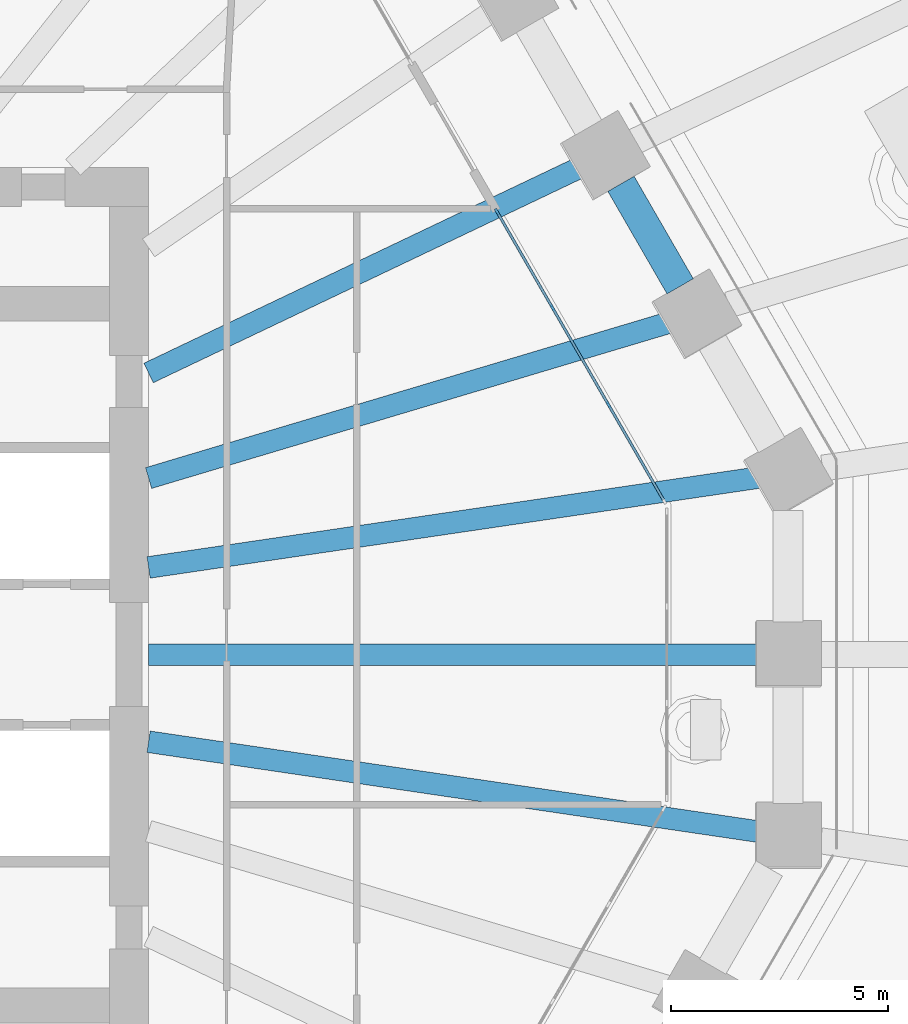
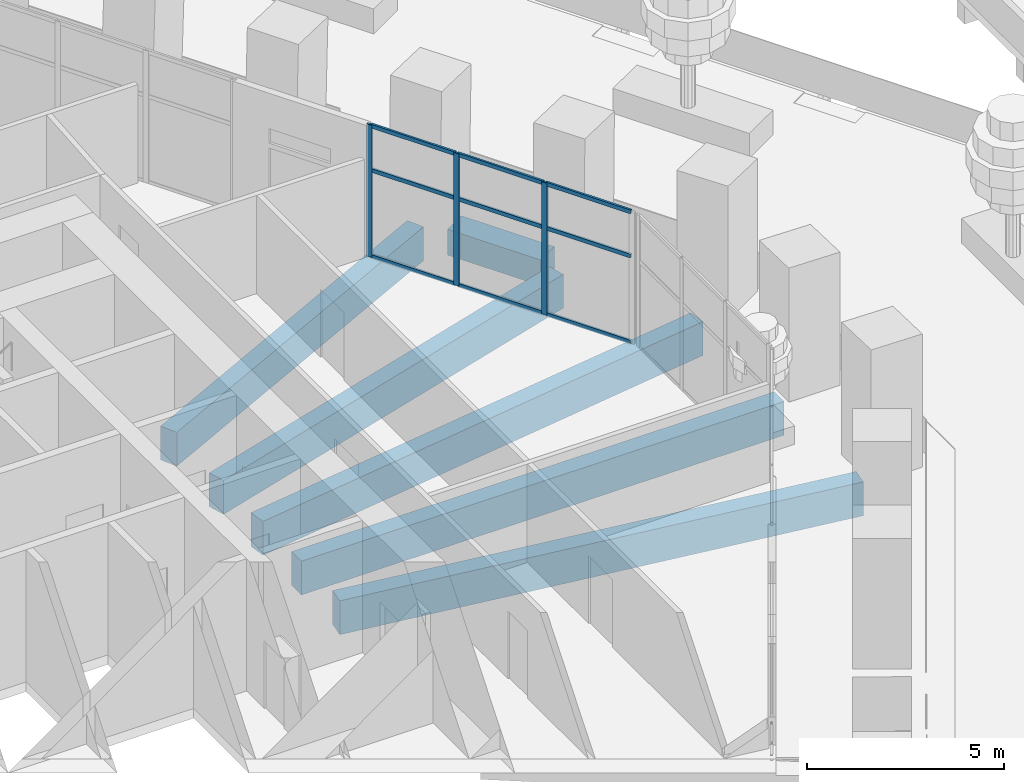
# One storey, part 13 of 32: 12 members, 6 beams, 1 element without a shape of its own.
"""IFC4 building model written with IfcOpenShell, lengths in metres."""

import ifcopenshell
import ifcopenshell.guid

model = None  # the IFC model being written
_history = None  # IfcOwnerHistory: only IFC2X3 demands one
_inside = {}  # id of a spatial element -> (the spatial element, [elements in it])
_under = {}  # id of a project, library or spatial element -> (it, [spatial elements below it])
_declared = {}  # id of a project -> (the project, [libraries it declares])
_typed = {}  # id of a type object -> (the type object, [elements of that type])
_made_of = {}  # id of a material, layer set ... -> (it, [elements and type objects made of it])


def new_model(schema):
    """Start an empty IFC model of exactly this schema.

    Asked for "IFC4X3", IfcOpenShell would pick the latest addendum, in which some entities
    have other attributes; the version numbers below select the first issue.
    IFC2X3 requires an IfcOwnerHistory on every rooted entity: one is made here for all.
    """
    global model, _history
    if schema == "IFC4X3":
        model = ifcopenshell.file(schema_version=(4, 3, 0, 0))
    else:
        model = ifcopenshell.file(schema=schema)
    _inside.clear()
    _under.clear()
    _declared.clear()
    _typed.clear()
    _made_of.clear()
    _history = None
    if model.schema == "IFC2X3":
        org = make("IfcOrganization", Name="unknown")
        user = make(
            "IfcPersonAndOrganization",
            ThePerson=make("IfcPerson", FamilyName="unknown"),
            TheOrganization=org,
        )
        app = make(
            "IfcApplication",
            ApplicationDeveloper=org,
            Version="unknown",
            ApplicationFullName="unknown",
            ApplicationIdentifier="unknown",
        )
        _history = make(
            "IfcOwnerHistory",
            OwningUser=user,
            OwningApplication=app,
            ChangeAction="ADDED",
            CreationDate=0,
        )
    return model


def make(cls, **values):
    """One entity of the class cls with the attributes given. An attribute that is None is left unset."""
    return model.create_entity(
        cls, **{name: value for name, value in values.items() if value is not None}
    )


def rooted(cls, **values):
    """An entity with a GlobalId (a new one), such as an element, a storey or a relation."""
    return make(cls, GlobalId=ifcopenshell.guid.new(), OwnerHistory=_history, **values)


def si_unit(unit_type, name, prefix=None):
    """IfcSIUnit, for example si_unit("LENGTHUNIT", "METRE", prefix="MILLI")."""
    return make("IfcSIUnit", UnitType=unit_type, Prefix=prefix, Name=name)


def assignment(units):
    """IfcUnitAssignment: the units of a project."""
    return None if units is None else make("IfcUnitAssignment", Units=units)


def point(xyz):
    """IfcCartesianPoint."""
    return None if xyz is None else make("IfcCartesianPoint", Coordinates=xyz)


def direction(xyz):
    """IfcDirection."""
    return None if xyz is None else make("IfcDirection", DirectionRatios=xyz)


def frame(location, z_axis=None, x_axis=None):
    """IfcAxis2Placement3D, a coordinate frame: its origin and axes. An axis left out is left unset."""
    return make(
        "IfcAxis2Placement3D",
        Location=point(location),
        Axis=direction(z_axis),
        RefDirection=direction(x_axis),
    )


def frame_2d(location, x_axis=None):
    """IfcAxis2Placement2D, a coordinate frame in the plane: its origin and x axis."""
    return make(
        "IfcAxis2Placement2D", Location=point(location), RefDirection=direction(x_axis)
    )


def origin():
    """The frame at (0, 0, 0) with its axes left unset."""
    return frame((0.0, 0.0, 0.0))


def origin_2d():
    """The frame at (0, 0) in the plane with its x axis left unset."""
    return frame_2d((0.0, 0.0))


def place(relative_to, where):
    """IfcLocalPlacement: puts the frame where relative to a parent placement (None: the world)."""
    return make(
        "IfcLocalPlacement", PlacementRelTo=relative_to, RelativePlacement=where
    )


def context(
    kind, dimensions, precision=None, world=None, true_north=None, identifier=None
):
    """IfcGeometricRepresentationContext, for example the 3D "Model" context."""
    return make(
        "IfcGeometricRepresentationContext",
        ContextIdentifier=identifier,
        ContextType=kind,
        CoordinateSpaceDimension=dimensions,
        Precision=precision,
        WorldCoordinateSystem=world,
        TrueNorth=true_north,
    )


def subcontext(parent, identifier, kind, view, scale=None):
    """IfcGeometricRepresentationSubContext, for example "Body" below "Model"."""
    return make(
        "IfcGeometricRepresentationSubContext",
        ContextIdentifier=identifier,
        ContextType=kind,
        ParentContext=parent,
        TargetScale=scale,
        TargetView=view,
    )


def project(units=None, contexts=None):
    """IfcProject with its units and contexts."""
    return rooted(
        "IfcProject",
        Name="project",
        RepresentationContexts=contexts,
        UnitsInContext=assignment(units),
    )


def spatial(cls, under=None, at=None, **own):
    """A site, building, storey or space (cls), placed at a placement, below another one or the project."""
    s = rooted(cls, ObjectPlacement=at, **own)
    if under is not None:
        _under.setdefault(under.id(), (under, []))[1].append(s)
    return s


def profile(cls, at=None, kind="AREA", **sizes):
    """A parametric profile (cls). Its sizes go by their IFC names, for example OverallWidth=200.0."""
    return make(cls, ProfileType=kind, Position=at, **sizes)


def rectangle(**sizes):
    """IfcRectangleProfileDef."""
    return profile("IfcRectangleProfileDef", **sizes)


def extrude(swept, where, along, depth):
    """IfcExtrudedAreaSolid: the profile swept, set in the frame where, extruded along a direction by depth."""
    return make(
        "IfcExtrudedAreaSolid",
        SweptArea=swept,
        Position=where,
        ExtrudedDirection=direction(along),
        Depth=depth,
    )


def shape(context_of_items, identifier, shape_type, items):
    """IfcShapeRepresentation: the items that make up one representation, for example the "Body"."""
    return make(
        "IfcShapeRepresentation",
        ContextOfItems=context_of_items,
        RepresentationIdentifier=identifier,
        RepresentationType=shape_type,
        Items=items,
    )


def material(Name=None, Category=None):
    """IfcMaterial."""
    return make("IfcMaterial", Name=Name, Category=Category)


def material_profile(
    of_material, cross_section, Name=None, Category=None, Priority=None
):
    """IfcMaterialProfile: a cross section and its material."""
    return make(
        "IfcMaterialProfile",
        Name=Name,
        Material=of_material,
        Profile=cross_section,
        Priority=Priority,
        Category=Category,
    )


def profile_set(profiles, Name=None, composite=None):
    """IfcMaterialProfileSet."""
    return make(
        "IfcMaterialProfileSet",
        Name=Name,
        MaterialProfiles=profiles,
        CompositeProfile=composite,
    )


def made_of(thing, what):
    """Note that an element or type object is made of a material, layer set ...; save() writes the relation."""
    if what is not None:
        _made_of.setdefault(what.id(), (what, []))[1].append(thing)
    return thing


def type_object(cls, material=None, **own):
    """A type object (cls), such as IfcWallType, which elements share."""
    return made_of(rooted(cls, **own), material)


def element(
    cls,
    number,
    at=None,
    inside=None,
    cuts=None,
    type_object=None,
    material=None,
    context=None,
    identifier="Body",
    shape_type=None,
    held_by="IfcProductDefinitionShape",
    body=None,
    shapes=None,
    **own,
):
    """One element of the class cls, such as IfcWall. Its Tag is "e" and its number.

    at: its placement. inside: the storey or other place that contains it. cuts: it is an
    opening in that element (IfcRelVoidsElement). A single representation is given by context,
    identifier, shape_type and body (its items); several are given by shapes. held_by: the class
    of the entity that holds the representations. save() writes the other relations.
    """
    e = rooted(cls, Tag="e%d" % number, ObjectPlacement=at, **own)
    if body is not None:
        shapes = [shape(context, identifier, shape_type, body)]
    if shapes is not None:
        e.Representation = make(held_by, Representations=shapes)
    if inside is not None:
        _inside.setdefault(inside.id(), (inside, []))[1].append(e)
    if cuts is not None:
        rooted(
            "IfcRelVoidsElement", RelatingBuildingElement=cuts, RelatedOpeningElement=e
        )
    if type_object is not None:
        _typed.setdefault(type_object.id(), (type_object, []))[1].append(e)
    return made_of(e, material)


def aggregate(whole, parts):
    """IfcRelAggregates: a whole, such as a stair, and the parts it consists of."""
    return rooted("IfcRelAggregates", RelatingObject=whole, RelatedObjects=parts)


def save(model, path):
    """Write the relations noted so far, then the file.

    IfcRelAggregates (storeys below a building ...), IfcRelContainedInSpatialStructure (elements
    in a storey), IfcRelDefinesByType, IfcRelAssociatesMaterial and IfcRelDeclares: one each for
    every whole, place, type object, material and project.
    """
    for whole, parts in _under.values():
        aggregate(whole, parts)
    for where, things in _inside.values():
        rooted(
            "IfcRelContainedInSpatialStructure",
            RelatedElements=things,
            RelatingStructure=where,
        )
    for kind, things in _typed.values():
        rooted("IfcRelDefinesByType", RelatedObjects=things, RelatingType=kind)
    for what, things in _made_of.values():
        rooted("IfcRelAssociatesMaterial", RelatedObjects=things, RelatingMaterial=what)
    for by, libraries in _declared.values():
        rooted("IfcRelDeclares", RelatingContext=by, RelatedDefinitions=libraries)
    model.write(path)


model = new_model("IFC4")

# Units and contexts
model_context = context("Model", 3, precision=1e-05, world=origin(), true_north=direction((0.0, 1.0)))
body_context = subcontext(model_context, "Body", "Model", "MODEL_VIEW")
ifc_project = project(units=[si_unit("LENGTHUNIT", "METRE"), si_unit("AREAUNIT", "SQUARE_METRE"), si_unit("VOLUMEUNIT", "CUBIC_METRE"), si_unit("PLANEANGLEUNIT", "RADIAN"), si_unit("MASSUNIT", "GRAM", prefix="KILO")], contexts=[model_context])

# Site, building, storey
site_placement = place(None, origin())
site = spatial("IfcSite", under=ifc_project, at=site_placement, CompositionType="ELEMENT")
building_placement = place(site_placement, origin())
building = spatial("IfcBuilding", under=site, at=building_placement, Name="Frailejon Research Tower", CompositionType="ELEMENT")
storey_placement = place(building_placement, frame((0.0, 0.0, 14.60009765625)))
storey = spatial("IfcBuildingStorey", under=building, at=storey_placement, Name="L03", CompositionType="ELEMENT", Elevation=14.60009765625)

# Curtain wall, members
ifc_material_1 = material(Name="Aluminium curtain wall", Category="aluminium")
curtain_wall_type = type_object("IfcCurtainWallType", Name="Base zone unitised curtain wall system", PredefinedType="NOTDEFINED", material=ifc_material_1)
curtain_wall_placement = place(storey_placement, origin())
curtain_wall = element("IfcCurtainWall", 1, at=curtain_wall_placement, inside=storey, type_object=curtain_wall_type, Name="Curtain wall L03", PredefinedType="NOTDEFINED")
ifc_material_2 = material(Name="Aluminium extrusion", Category="aluminium")
ifc_material_profile_1 = material_profile(ifc_material_2, rectangle(XDim=0.06005859375, YDim=0.159912109375, at=origin_2d()), Name="Base zone unitised curtain wall mullion 60x160")
ifc_profile_set_1 = profile_set([ifc_material_profile_1], Name="Aluminium extrusion")
member_type_1 = type_object("IfcMemberType", Name="Base zone unitised curtain wall mullion 60x160", PredefinedType="MULLION", material=ifc_profile_set_1)
member_1_placement = place(storey_placement, frame((24.268798828125, 5.76513671875, 0.0), z_axis=(0.0, 0.0, 1.0), x_axis=(-0.866029434533, -0.499993018474, 0.0)))
member_1 = element("IfcMember", 2, at=member_1_placement, type_object=member_type_1, Name="CW3-046 mullion 2", PredefinedType="MULLION", context=body_context, shape_type="SweptSolid", body=[
    extrude(rectangle(XDim=0.06005859375, YDim=0.159912109375, at=origin_2d()), origin(), (0.0, 0.0, 1.0), 4.099853515625),
])
member_2_placement = place(storey_placement, frame((22.974853515625, 8.00634765625, 0.0), z_axis=(0.0, 0.0, 1.0), x_axis=(-0.866029434533, -0.499993018474, 0.0)))
member_2 = element("IfcMember", 3, at=member_2_placement, type_object=member_type_1, Name="CW3-046 mullion 3", PredefinedType="MULLION", context=body_context, shape_type="SweptSolid", body=[
    extrude(rectangle(XDim=0.06005859375, YDim=0.159912109375, at=origin_2d()), origin(), (0.0, 0.0, 1.0), 4.099853515625),
])
member_3_placement = place(storey_placement, frame((21.696044921875, 10.221435546875, 0.0), z_axis=(0.0, 0.0, 1.0), x_axis=(-0.866029434533, -0.499993018474, 0.0)))
member_3 = element("IfcMember", 4, at=member_3_placement, type_object=member_type_1, Name="CW3-046 mullion 4", PredefinedType="MULLION", context=body_context, shape_type="SweptSolid", body=[
    extrude(rectangle(XDim=0.06005859375, YDim=0.159912109375, at=origin_2d()), origin(), (0.0, 0.0, 1.0), 4.099853515625),
])
ifc_material_3 = material(Name="Aluminium extrusion", Category="aluminium")
ifc_material_profile_2 = material_profile(ifc_material_3, rectangle(XDim=0.06005859375, YDim=0.1201171875, at=origin_2d()), Name="Base zone unitised curtain wall transom 60x120")
ifc_profile_set_2 = profile_set([ifc_material_profile_2], Name="Aluminium extrusion")
member_type_2 = type_object("IfcMemberType", Name="Base zone unitised curtain wall transom 60x120", PredefinedType="USERDEFINED", material=ifc_profile_set_2)
member_4_placement = place(storey_placement, frame((25.53271484375, 3.575927734375, 0.02978515625), z_axis=(-0.499976292358, 0.866039090965, 0.0), x_axis=(-0.866039090965, -0.499976292358, 0.0)))
member_4 = element("IfcMember", 5, at=member_4_placement, type_object=member_type_2, Name="CW3-046 transom 1.1", ObjectType="TRANSOM", PredefinedType="USERDEFINED", context=body_context, shape_type="SweptSolid", body=[
    extrude(rectangle(XDim=0.06005859375, YDim=0.1201171875, at=origin_2d()), origin(), (0.0, 0.0, 1.0), 2.49755859375),
])
member_5_placement = place(storey_placement, frame((25.53271484375, 3.575927734375, 2.699951171875), z_axis=(-0.499976292358, 0.866039090965, 0.0), x_axis=(-0.866039090965, -0.499976292358, 0.0)))
member_5 = element("IfcMember", 6, at=member_5_placement, type_object=member_type_2, Name="CW3-046 transom 1.2", ObjectType="TRANSOM", PredefinedType="USERDEFINED", context=body_context, shape_type="SweptSolid", body=[
    extrude(rectangle(XDim=0.06005859375, YDim=0.1201171875, at=origin_2d()), origin(), (0.0, 0.0, 1.0), 2.49755859375),
])
member_6_placement = place(storey_placement, frame((25.53271484375, 3.575927734375, 4.06982421875), z_axis=(-0.499976292358, 0.866039090965, 0.0), x_axis=(-0.866039090965, -0.499976292358, 0.0)))
member_6 = element("IfcMember", 7, at=member_6_placement, type_object=member_type_2, Name="CW3-046 transom 1.3", ObjectType="TRANSOM", PredefinedType="USERDEFINED", context=body_context, shape_type="SweptSolid", body=[
    extrude(rectangle(XDim=0.06005859375, YDim=0.1201171875, at=origin_2d()), origin(), (0.0, 0.0, 1.0), 2.49755859375),
])
member_7_placement = place(storey_placement, frame((24.25390625, 5.791015625, 0.02978515625), z_axis=(-0.499992766374, 0.86602958008, 0.0), x_axis=(-0.86602958008, -0.499992766374, 0.0)))
member_7 = element("IfcMember", 8, at=member_7_placement, type_object=member_type_2, Name="CW3-046 transom 2.1", ObjectType="TRANSOM", PredefinedType="USERDEFINED", context=body_context, shape_type="SweptSolid", body=[
    extrude(rectangle(XDim=0.06005859375, YDim=0.1201171875, at=origin_2d()), origin(), (0.0, 0.0, 1.0), 2.52783203125),
])
member_8_placement = place(storey_placement, frame((24.25390625, 5.791015625, 2.699951171875), z_axis=(-0.499992766374, 0.86602958008, 0.0), x_axis=(-0.86602958008, -0.499992766374, 0.0)))
member_8 = element("IfcMember", 9, at=member_8_placement, type_object=member_type_2, Name="CW3-046 transom 2.2", ObjectType="TRANSOM", PredefinedType="USERDEFINED", context=body_context, shape_type="SweptSolid", body=[
    extrude(rectangle(XDim=0.06005859375, YDim=0.1201171875, at=origin_2d()), origin(), (0.0, 0.0, 1.0), 2.52783203125),
])
member_9_placement = place(storey_placement, frame((24.25390625, 5.791015625, 4.06982421875), z_axis=(-0.499992766374, 0.86602958008, 0.0), x_axis=(-0.86602958008, -0.499992766374, 0.0)))
member_9 = element("IfcMember", 10, at=member_9_placement, type_object=member_type_2, Name="CW3-046 transom 2.3", ObjectType="TRANSOM", PredefinedType="USERDEFINED", context=body_context, shape_type="SweptSolid", body=[
    extrude(rectangle(XDim=0.06005859375, YDim=0.1201171875, at=origin_2d()), origin(), (0.0, 0.0, 1.0), 2.52783203125),
])
member_10_placement = place(storey_placement, frame((22.9599609375, 8.0322265625, 0.02978515625), z_axis=(-0.500007276137, 0.866021202864, 0.0), x_axis=(-0.866021202864, -0.500007276137, 0.0)))
member_10 = element("IfcMember", 11, at=member_10_placement, type_object=member_type_2, Name="CW3-046 transom 3.1", ObjectType="TRANSOM", PredefinedType="USERDEFINED", context=body_context, shape_type="SweptSolid", body=[
    extrude(rectangle(XDim=0.06005859375, YDim=0.1201171875, at=origin_2d()), origin(), (0.0, 0.0, 1.0), 2.498046875),
])
member_11_placement = place(storey_placement, frame((22.9599609375, 8.0322265625, 2.699951171875), z_axis=(-0.500007276137, 0.866021202864, 0.0), x_axis=(-0.866021202864, -0.500007276137, 0.0)))
member_11 = element("IfcMember", 12, at=member_11_placement, type_object=member_type_2, Name="CW3-046 transom 3.2", ObjectType="TRANSOM", PredefinedType="USERDEFINED", context=body_context, shape_type="SweptSolid", body=[
    extrude(rectangle(XDim=0.06005859375, YDim=0.1201171875, at=origin_2d()), origin(), (0.0, 0.0, 1.0), 2.498046875),
])
member_12_placement = place(storey_placement, frame((22.9599609375, 8.0322265625, 4.06982421875), z_axis=(-0.500007276137, 0.866021202864, 0.0), x_axis=(-0.866021202864, -0.500007276137, 0.0)))
member_12 = element("IfcMember", 13, at=member_12_placement, type_object=member_type_2, Name="CW3-046 transom 3.3", ObjectType="TRANSOM", PredefinedType="USERDEFINED", context=body_context, shape_type="SweptSolid", body=[
    extrude(rectangle(XDim=0.06005859375, YDim=0.1201171875, at=origin_2d()), origin(), (0.0, 0.0, 1.0), 2.498046875),
])
aggregate(curtain_wall, [member_1, member_2, member_3, member_4, member_5, member_6, member_7, member_8, member_9, member_10, member_11, member_12])

# Beams
ifc_material_4 = material(Name="Concrete C60/75", Category="concrete")
ifc_material_profile_3 = material_profile(ifc_material_4, rectangle(XDim=0.5, YDim=1.050048828125, at=origin_2d()), Name="Girder 500x1050")
ifc_profile_set_3 = profile_set([ifc_material_profile_3], Name="Concrete C60/75")
beam_type_1 = type_object("IfcBeamType", Name="Girder 500x1050", PredefinedType="BEAM", material=ifc_profile_set_3)
beam_1_placement = place(storey_placement, frame((27.811279296875, -4.098876953125, -0.8251953125), z_axis=(-0.989312799654, 0.145808725528, 0.0), x_axis=(-0.145808725528, -0.989312799654, 0.0)))
element("IfcBeam", 14, at=beam_1_placement, inside=storey, type_object=beam_type_1, Name="Girder 500x1050", PredefinedType="BEAM", context=body_context, shape_type="SweptSolid", body=[
    extrude(rectangle(XDim=0.5, YDim=1.050048828125, at=origin_2d()), origin(), (0.0, 0.0, 1.0), 14.314453125),
])
beam_2_placement = place(storey_placement, frame((27.812744140625, 0.0, -0.8251953125), z_axis=(-1.0, 0.0, 0.0), x_axis=(0.0, -1.0, 0.0)))
element("IfcBeam", 15, at=beam_2_placement, inside=storey, type_object=beam_type_1, Name="Girder 500x1050", PredefinedType="BEAM", context=body_context, shape_type="SweptSolid", body=[
    extrude(rectangle(XDim=0.5, YDim=1.050048828125, at=origin_2d()), origin(), (0.0, 0.0, 1.0), 14.162841796875),
])
beam_3_placement = place(storey_placement, frame((27.76318359375, 4.091796875, -0.8251953125), z_axis=(-0.989312714195, -0.145809305372, 0.0), x_axis=(0.145809305372, -0.989312714195, 0.0)))
element("IfcBeam", 16, at=beam_3_placement, inside=storey, type_object=beam_type_1, Name="Girder 500x1050", PredefinedType="BEAM", context=body_context, shape_type="SweptSolid", body=[
    extrude(rectangle(XDim=0.5, YDim=1.050048828125, at=origin_2d()), origin(), (0.0, 0.0, 1.0), 14.265625),
])
beam_4_placement = place(storey_placement, frame((25.701904296875, 7.6748046875, -0.8251953125), z_axis=(-0.958191455721, -0.286127828396, 0.0), x_axis=(0.286127828396, -0.958191455721, 0.0)))
element("IfcBeam", 17, at=beam_4_placement, inside=storey, type_object=beam_type_1, Name="Girder 500x1050", PredefinedType="BEAM", context=body_context, shape_type="SweptSolid", body=[
    extrude(rectangle(XDim=0.5, YDim=1.050048828125, at=origin_2d()), origin(), (0.0, 0.0, 1.0), 12.577880859375),
])
beam_5_placement = place(storey_placement, frame((23.63720703125, 11.258544921875, -0.8251953125), z_axis=(-0.902826248809, -0.430005540036, 0.0), x_axis=(0.430005540036, -0.902826248809, 0.0)))
element("IfcBeam", 18, at=beam_5_placement, inside=storey, type_object=beam_type_1, Name="Girder 500x1050", PredefinedType="BEAM", context=body_context, shape_type="SweptSolid", body=[
    extrude(rectangle(XDim=0.5, YDim=1.050048828125, at=origin_2d()), origin(), (0.0, 0.0, 1.0), 11.062255859375),
])
ifc_material_5 = material(Name="Concrete C60/75", Category="concrete")
ifc_material_profile_4 = material_profile(ifc_material_5, rectangle(XDim=0.699951171875, YDim=0.800048828125, at=origin_2d()), Name="Spandrel 700x800")
ifc_profile_set_4 = profile_set([ifc_material_profile_4], Name="Concrete C60/75")
beam_type_2 = type_object("IfcBeamType", Name="Spandrel 700x800", PredefinedType="BEAM", material=ifc_profile_set_4)
beam_6_placement = place(storey_placement, frame((25.921875, 8.501953125, -0.75), z_axis=(-0.499993199895, 0.866029329791, 0.0), x_axis=(-0.866029329791, -0.499993199895, 0.0)))
element("IfcBeam", 19, at=beam_6_placement, inside=storey, type_object=beam_type_2, Name="Spandrel 700x800", PredefinedType="BEAM", context=body_context, shape_type="SweptSolid", body=[
    extrude(rectangle(XDim=0.699951171875, YDim=0.800048828125, at=origin_2d()), origin(), (0.0, 0.0, 1.0), 2.73193359375),
])

save(model, "model.ifc")
